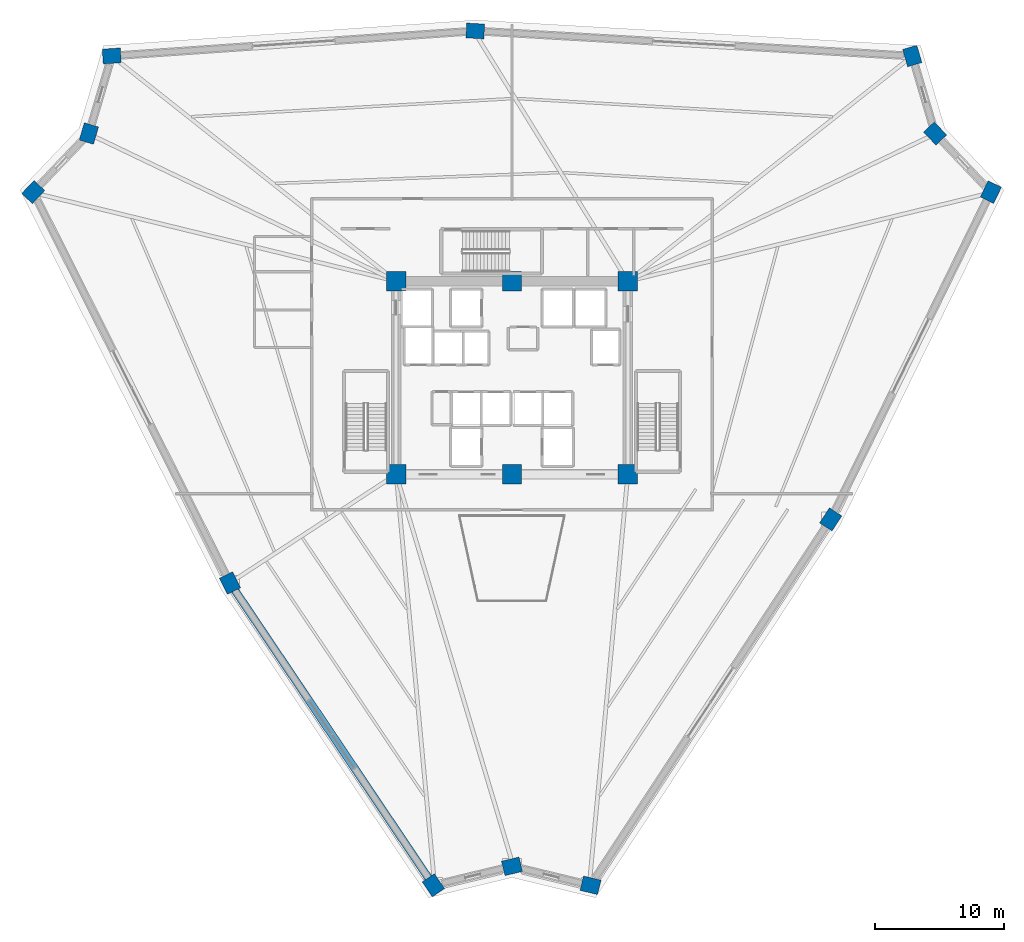
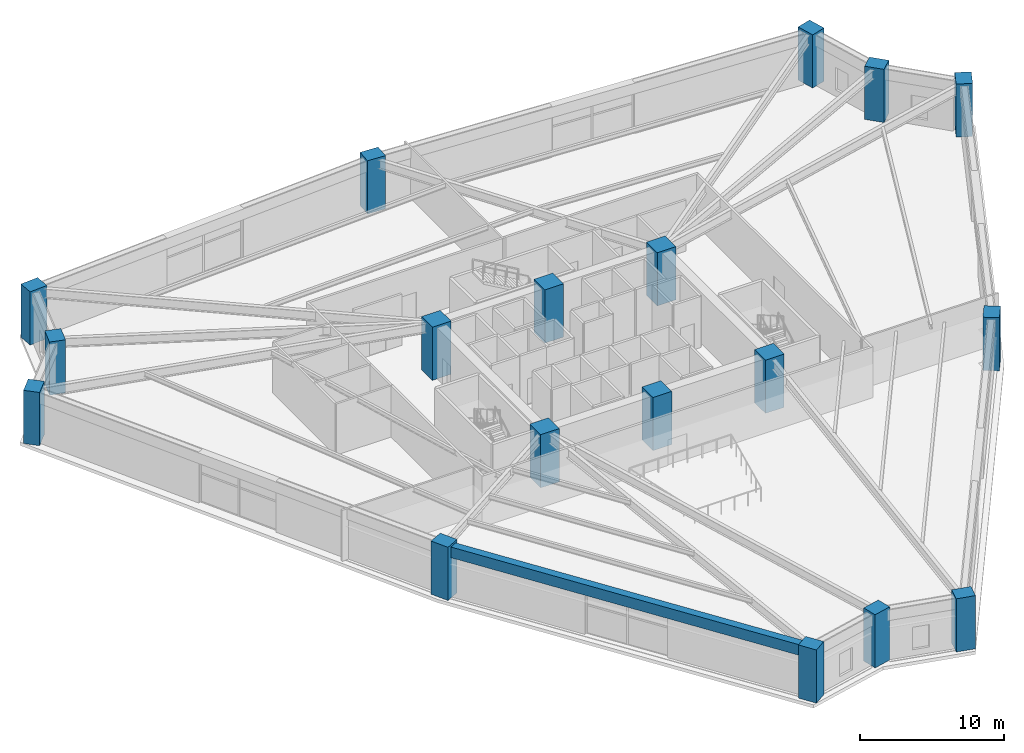
# One storey, part 1 of 30: 18 columns, 1 beam.
"""IFC4 building model written with IfcOpenShell, lengths in metres."""

from ifc_helpers import new_model, si_unit, direction, frame, origin, origin_2d, place, context, subcontext, project, spatial, rectangle, extrude, source, transform, mapped, material, material_profile, profile_set, type_object, element, save


model = new_model("IFC4")

# Units and contexts
model_context = context("Model", 3, precision=1e-05, world=origin(), true_north=direction((0.0, 1.0)))
body_context = subcontext(model_context, "Body", "Model", "MODEL_VIEW")
ifc_project = project(units=[si_unit("LENGTHUNIT", "METRE"), si_unit("AREAUNIT", "SQUARE_METRE"), si_unit("VOLUMEUNIT", "CUBIC_METRE"), si_unit("PLANEANGLEUNIT", "RADIAN"), si_unit("MASSUNIT", "GRAM", prefix="KILO")], contexts=[model_context])

# Site, building, storey
site_placement = place(None, origin())
site = spatial("IfcSite", under=ifc_project, at=site_placement, CompositionType="ELEMENT")
building_placement = place(site_placement, origin())
building = spatial("IfcBuilding", under=site, at=building_placement, Name="Liaohun Quay Tower", CompositionType="ELEMENT")
storey_placement = place(building_placement, frame((0.0, 0.0, 97.5)))
storey = spatial("IfcBuildingStorey", under=building, at=storey_placement, Name="L25", CompositionType="ELEMENT", Elevation=97.5)

# Columns
ifc_material_1 = material(Name="Concrete C60", Category="concrete")
ifc_material_profile_1 = material_profile(ifc_material_1, rectangle(XDim=1.5, YDim=1.5, at=origin_2d()), Name="RC1500x1500")
ifc_profile_set_1 = profile_set([ifc_material_profile_1], Name="Concrete C60")
column_type_1 = type_object("IfcColumnType", Name="COL-CC-Z2", PredefinedType="COLUMN", material=ifc_profile_set_1)
shared_shape_1 = source(origin(), body_context, "Body", "SweptSolid", [
    extrude(rectangle(XDim=1.5, YDim=1.5, at=origin_2d()), origin(), (0.0, 0.0, 1.0), 4.5),
])
for number, where, z_axis, x_axis, name in (
    (1, (51.0, 46.5, 0.0), (0.0, 0.0, 1.0), (1.0, 0.0, 0.0), "L25 Core Column CC1"),
    (2, (60.0, 46.5, 0.0), (0.0, 0.0, 1.0), (1.0, 0.0, 0.0), "L25 Core Column CC2"),
    (3, (69.0, 46.5, 0.0), (0.0, 0.0, 1.0), (1.0, 0.0, 0.0), "L25 Core Column CC3"),
    (4, (69.0, 61.5, 0.0), (0.0, 0.0, 1.0), (1.0, 0.0, 0.0), "L25 Core Column CC4"),
    (5, (60.0, 61.5, 0.0), (0.0, 0.0, 1.0), (1.0, 0.0, 0.0), "L25 Core Column CC5"),
    (6, (51.0, 61.5, 0.0), (0.0, 0.0, 1.0), (1.0, 0.0, 0.0), "L25 Core Column CC6"),
):
    element("IfcColumn", number, at=place(storey_placement, frame(where, z_axis=z_axis, x_axis=x_axis)), inside=storey, type_object=column_type_1, Name=name, PredefinedType="COLUMN", context=body_context, shape_type="MappedRepresentation", body=[
        mapped(shared_shape_1, transform((0.0, 0.0, 0.0), x_axis=(1.0, 0.0, 0.0), y_axis=(0.0, 1.0, 0.0), z_axis=(0.0, 0.0, 1.0), scale=1.0)),
    ])
ifc_material_profile_2 = material_profile(ifc_material_1, rectangle(XDim=1.39990234375, YDim=1.14990234375, at=origin_2d()), Name="RC1400x1150")
ifc_profile_set_2 = profile_set([ifc_material_profile_2], Name="Concrete C60")
column_type_2 = type_object("IfcColumnType", Name="COL-PIER-Z2", PredefinedType="COLUMN", material=ifc_profile_set_2)
shared_shape_2 = source(origin(), body_context, "Body", "SweptSolid", [
    extrude(rectangle(XDim=1.39990234375, YDim=1.14990234375, at=origin_2d()), origin(), (0.0, 0.0, 1.0), 4.5),
])
for number, where, z_axis, x_axis, name in (
    (7, (53.89208984375, 14.568115234375, 0.0), (0.0, 0.0, 1.0), (-0.558179625922, 0.829720136676, 0.0), "L25 Perimeter Pier PC01"),
    (8, (38.089111328125, 38.056884765625, 0.0), (0.0, 0.0, 1.0), (-0.449630816679, 0.893214491985, 0.0), "L25 Perimeter Pier PC02"),
    (9, (22.802001953125, 68.431884765625, 0.0), (0.0, 0.0, 1.0), (0.689240273721, 0.724532846102, 0.0), "L25 Perimeter Pier PC03"),
    (10, (27.1279296875, 72.97900390625, 0.0), (0.0, 0.0, 1.0), (0.28284371374, 0.959166009405, 0.0), "L25 Perimeter Pier PC04"),
    (11, (28.905029296875, 79.006103515625, 0.0), (0.0, 0.0, 1.0), (0.997648529354, 0.068537667585, 0.0), "L25 Perimeter Pier PC05"),
    (12, (57.14794921875, 80.947021484375, 0.0), (0.0, 0.0, 1.0), (-0.998351848226, 0.057389782566, 0.0), "L25 Perimeter Pier PC06"),
    (13, (91.096923828125, 78.9990234375, 0.0), (0.0, 0.0, 1.0), (-0.28284371374, 0.959166009405, 0.0), "L25 Perimeter Pier PC07"),
    (14, (92.8720703125, 72.97900390625, 0.0), (0.0, 0.0, 1.0), (-0.689240273721, 0.724532846102, 0.0), "L25 Perimeter Pier PC08"),
    (15, (97.202880859375, 68.426025390625, 0.0), (0.0, 0.0, 1.0), (0.439468903432, 0.898257804261, 0.0), "L25 Perimeter Pier PC09"),
    (16, (84.762939453125, 42.9970703125, 0.0), (0.0, 0.0, 1.0), (0.548731032748, 0.835998955561, 0.0), "L25 Perimeter Pier PC10"),
    (17, (66.10107421875, 14.570068359375, 0.0), (0.0, 0.0, 1.0), (-0.972043021443, 0.234802820391, 0.0), "L25 Perimeter Pier PC11"),
    (18, (60.0, 16.04296875, 0.0), (0.0, 0.0, 1.0), (0.972043021443, 0.234802820391, 0.0), "L25 Perimeter Pier PC12"),
):
    element("IfcColumn", number, at=place(storey_placement, frame(where, z_axis=z_axis, x_axis=x_axis)), inside=storey, type_object=column_type_2, Name=name, PredefinedType="COLUMN", context=body_context, shape_type="MappedRepresentation", body=[
        mapped(shared_shape_2, transform((0.0, 0.0, 0.0), x_axis=(1.0, 0.0, 0.0), y_axis=(0.0, 1.0, 0.0), z_axis=(0.0, 0.0, 1.0), scale=1.0)),
    ])

# Beam
ifc_material_2 = material(Name="Precast concrete C55", Category="concrete")
ifc_material_profile_3 = material_profile(ifc_material_2, rectangle(XDim=0.60009765625, YDim=0.89990234375, at=origin_2d()), Name="RC600x900")
ifc_profile_set_3 = profile_set([ifc_material_profile_3], Name="Precast concrete C55")
beam_type = type_object("IfcBeamType", Name="BM-SPD-Z2", PredefinedType="SPANDREL", material=ifc_profile_set_3)
shared_shape_3 = source(origin(), body_context, "Body", "SweptSolid", [
    extrude(rectangle(XDim=0.60009765625, YDim=0.89990234375, at=origin_2d()), origin(), (0.0, 0.0, 1.0), 28.31005859375),
])
beam_placement = place(storey_placement, frame((53.89208984375, 14.568115234375, 3.8701171875), z_axis=(-0.558211773959, 0.829698508745, 0.0), x_axis=(-0.829698508745, -0.558211773959, 0.0)))
element("IfcBeam", 19, at=beam_placement, inside=storey, type_object=beam_type, Name="L25 Precast Spandrel Beam PC01-PC02", PredefinedType="SPANDREL", context=body_context, shape_type="MappedRepresentation", body=[
    mapped(shared_shape_3, transform((0.0, 0.0, 0.0), x_axis=(1.0, 0.0, 0.0), y_axis=(0.0, 1.0, 0.0), z_axis=(0.0, 0.0, 1.0), scale=1.0)),
])

save(model, "model.ifc")
